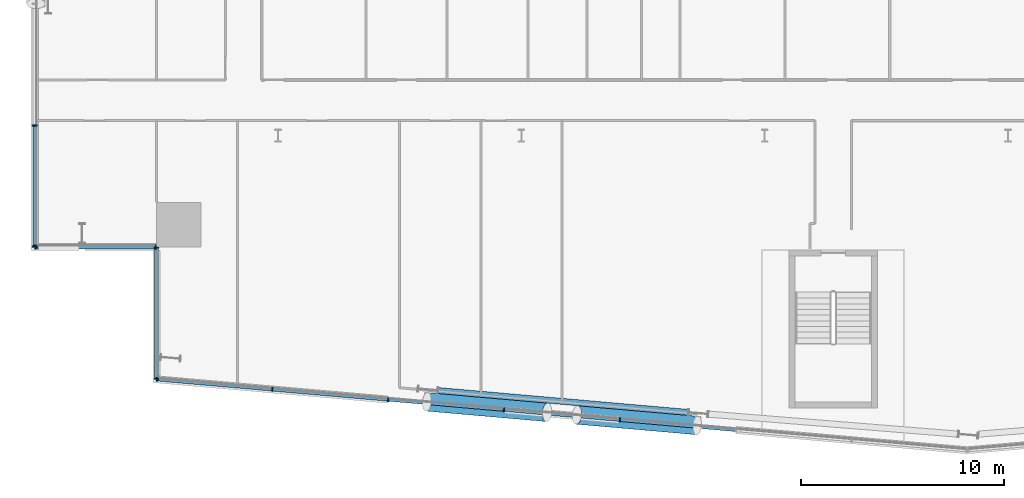
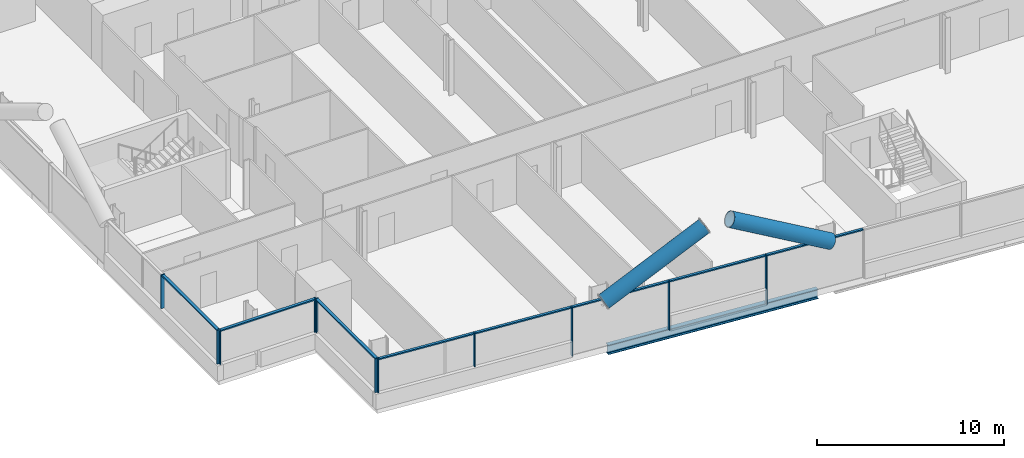
# One storey, part 4 of 27: 21 members, 1 beam, 4 elements without a shape of their own.
"""IFC4 building model written with IfcOpenShell, lengths in metres."""

import ifcopenshell
import ifcopenshell.guid

model = None  # the IFC model being written
_history = None  # IfcOwnerHistory: only IFC2X3 demands one
_inside = {}  # id of a spatial element -> (the spatial element, [elements in it])
_under = {}  # id of a project, library or spatial element -> (it, [spatial elements below it])
_declared = {}  # id of a project -> (the project, [libraries it declares])
_typed = {}  # id of a type object -> (the type object, [elements of that type])
_made_of = {}  # id of a material, layer set ... -> (it, [elements and type objects made of it])


def new_model(schema):
    """Start an empty IFC model of exactly this schema.

    Asked for "IFC4X3", IfcOpenShell would pick the latest addendum, in which some entities
    have other attributes; the version numbers below select the first issue.
    IFC2X3 requires an IfcOwnerHistory on every rooted entity: one is made here for all.
    """
    global model, _history
    if schema == "IFC4X3":
        model = ifcopenshell.file(schema_version=(4, 3, 0, 0))
    else:
        model = ifcopenshell.file(schema=schema)
    _inside.clear()
    _under.clear()
    _declared.clear()
    _typed.clear()
    _made_of.clear()
    _history = None
    if model.schema == "IFC2X3":
        org = make("IfcOrganization", Name="unknown")
        user = make(
            "IfcPersonAndOrganization",
            ThePerson=make("IfcPerson", FamilyName="unknown"),
            TheOrganization=org,
        )
        app = make(
            "IfcApplication",
            ApplicationDeveloper=org,
            Version="unknown",
            ApplicationFullName="unknown",
            ApplicationIdentifier="unknown",
        )
        _history = make(
            "IfcOwnerHistory",
            OwningUser=user,
            OwningApplication=app,
            ChangeAction="ADDED",
            CreationDate=0,
        )
    return model


def make(cls, **values):
    """One entity of the class cls with the attributes given. An attribute that is None is left unset."""
    return model.create_entity(
        cls, **{name: value for name, value in values.items() if value is not None}
    )


def rooted(cls, **values):
    """An entity with a GlobalId (a new one), such as an element, a storey or a relation."""
    return make(cls, GlobalId=ifcopenshell.guid.new(), OwnerHistory=_history, **values)


def si_unit(unit_type, name, prefix=None):
    """IfcSIUnit, for example si_unit("LENGTHUNIT", "METRE", prefix="MILLI")."""
    return make("IfcSIUnit", UnitType=unit_type, Prefix=prefix, Name=name)


def assignment(units):
    """IfcUnitAssignment: the units of a project."""
    return None if units is None else make("IfcUnitAssignment", Units=units)


def point(xyz):
    """IfcCartesianPoint."""
    return None if xyz is None else make("IfcCartesianPoint", Coordinates=xyz)


def direction(xyz):
    """IfcDirection."""
    return None if xyz is None else make("IfcDirection", DirectionRatios=xyz)


def frame(location, z_axis=None, x_axis=None):
    """IfcAxis2Placement3D, a coordinate frame: its origin and axes. An axis left out is left unset."""
    return make(
        "IfcAxis2Placement3D",
        Location=point(location),
        Axis=direction(z_axis),
        RefDirection=direction(x_axis),
    )


def frame_2d(location, x_axis=None):
    """IfcAxis2Placement2D, a coordinate frame in the plane: its origin and x axis."""
    return make(
        "IfcAxis2Placement2D", Location=point(location), RefDirection=direction(x_axis)
    )


def origin():
    """The frame at (0, 0, 0) with its axes left unset."""
    return frame((0.0, 0.0, 0.0))


def origin_2d():
    """The frame at (0, 0) in the plane with its x axis left unset."""
    return frame_2d((0.0, 0.0))


def place(relative_to, where):
    """IfcLocalPlacement: puts the frame where relative to a parent placement (None: the world)."""
    return make(
        "IfcLocalPlacement", PlacementRelTo=relative_to, RelativePlacement=where
    )


def context(
    kind, dimensions, precision=None, world=None, true_north=None, identifier=None
):
    """IfcGeometricRepresentationContext, for example the 3D "Model" context."""
    return make(
        "IfcGeometricRepresentationContext",
        ContextIdentifier=identifier,
        ContextType=kind,
        CoordinateSpaceDimension=dimensions,
        Precision=precision,
        WorldCoordinateSystem=world,
        TrueNorth=true_north,
    )


def subcontext(parent, identifier, kind, view, scale=None):
    """IfcGeometricRepresentationSubContext, for example "Body" below "Model"."""
    return make(
        "IfcGeometricRepresentationSubContext",
        ContextIdentifier=identifier,
        ContextType=kind,
        ParentContext=parent,
        TargetScale=scale,
        TargetView=view,
    )


def project(units=None, contexts=None):
    """IfcProject with its units and contexts."""
    return rooted(
        "IfcProject",
        Name="project",
        RepresentationContexts=contexts,
        UnitsInContext=assignment(units),
    )


def spatial(cls, under=None, at=None, **own):
    """A site, building, storey or space (cls), placed at a placement, below another one or the project."""
    s = rooted(cls, ObjectPlacement=at, **own)
    if under is not None:
        _under.setdefault(under.id(), (under, []))[1].append(s)
    return s


def profile(cls, at=None, kind="AREA", **sizes):
    """A parametric profile (cls). Its sizes go by their IFC names, for example OverallWidth=200.0."""
    return make(cls, ProfileType=kind, Position=at, **sizes)


def rectangle(**sizes):
    """IfcRectangleProfileDef."""
    return profile("IfcRectangleProfileDef", **sizes)


def hollow_circle(**sizes):
    """IfcCircleHollowProfileDef."""
    return profile("IfcCircleHollowProfileDef", **sizes)


def i_section(**sizes):
    """IfcIShapeProfileDef."""
    return profile("IfcIShapeProfileDef", **sizes)


def extrude(swept, where, along, depth):
    """IfcExtrudedAreaSolid: the profile swept, set in the frame where, extruded along a direction by depth."""
    return make(
        "IfcExtrudedAreaSolid",
        SweptArea=swept,
        Position=where,
        ExtrudedDirection=direction(along),
        Depth=depth,
    )


def shape(context_of_items, identifier, shape_type, items):
    """IfcShapeRepresentation: the items that make up one representation, for example the "Body"."""
    return make(
        "IfcShapeRepresentation",
        ContextOfItems=context_of_items,
        RepresentationIdentifier=identifier,
        RepresentationType=shape_type,
        Items=items,
    )


def material(Name=None, Category=None):
    """IfcMaterial."""
    return make("IfcMaterial", Name=Name, Category=Category)


def material_profile(
    of_material, cross_section, Name=None, Category=None, Priority=None
):
    """IfcMaterialProfile: a cross section and its material."""
    return make(
        "IfcMaterialProfile",
        Name=Name,
        Material=of_material,
        Profile=cross_section,
        Priority=Priority,
        Category=Category,
    )


def profile_set(profiles, Name=None, composite=None):
    """IfcMaterialProfileSet."""
    return make(
        "IfcMaterialProfileSet",
        Name=Name,
        MaterialProfiles=profiles,
        CompositeProfile=composite,
    )


def made_of(thing, what):
    """Note that an element or type object is made of a material, layer set ...; save() writes the relation."""
    if what is not None:
        _made_of.setdefault(what.id(), (what, []))[1].append(thing)
    return thing


def type_object(cls, material=None, **own):
    """A type object (cls), such as IfcWallType, which elements share."""
    return made_of(rooted(cls, **own), material)


def element(
    cls,
    number,
    at=None,
    inside=None,
    cuts=None,
    type_object=None,
    material=None,
    context=None,
    identifier="Body",
    shape_type=None,
    held_by="IfcProductDefinitionShape",
    body=None,
    shapes=None,
    **own,
):
    """One element of the class cls, such as IfcWall. Its Tag is "e" and its number.

    at: its placement. inside: the storey or other place that contains it. cuts: it is an
    opening in that element (IfcRelVoidsElement). A single representation is given by context,
    identifier, shape_type and body (its items); several are given by shapes. held_by: the class
    of the entity that holds the representations. save() writes the other relations.
    """
    e = rooted(cls, Tag="e%d" % number, ObjectPlacement=at, **own)
    if body is not None:
        shapes = [shape(context, identifier, shape_type, body)]
    if shapes is not None:
        e.Representation = make(held_by, Representations=shapes)
    if inside is not None:
        _inside.setdefault(inside.id(), (inside, []))[1].append(e)
    if cuts is not None:
        rooted(
            "IfcRelVoidsElement", RelatingBuildingElement=cuts, RelatedOpeningElement=e
        )
    if type_object is not None:
        _typed.setdefault(type_object.id(), (type_object, []))[1].append(e)
    return made_of(e, material)


def aggregate(whole, parts):
    """IfcRelAggregates: a whole, such as a stair, and the parts it consists of."""
    return rooted("IfcRelAggregates", RelatingObject=whole, RelatedObjects=parts)


def save(model, path):
    """Write the relations noted so far, then the file.

    IfcRelAggregates (storeys below a building ...), IfcRelContainedInSpatialStructure (elements
    in a storey), IfcRelDefinesByType, IfcRelAssociatesMaterial and IfcRelDeclares: one each for
    every whole, place, type object, material and project.
    """
    for whole, parts in _under.values():
        aggregate(whole, parts)
    for where, things in _inside.values():
        rooted(
            "IfcRelContainedInSpatialStructure",
            RelatedElements=things,
            RelatingStructure=where,
        )
    for kind, things in _typed.values():
        rooted("IfcRelDefinesByType", RelatedObjects=things, RelatingType=kind)
    for what, things in _made_of.values():
        rooted("IfcRelAssociatesMaterial", RelatedObjects=things, RelatingMaterial=what)
    for by, libraries in _declared.values():
        rooted("IfcRelDeclares", RelatingContext=by, RelatedDefinitions=libraries)
    model.write(path)


model = new_model("IFC4")

# Units and contexts
model_context = context("Model", 3, precision=1e-05, world=origin(), true_north=direction((0.0, 1.0)))
body_context = subcontext(model_context, "Body", "Model", "MODEL_VIEW")
ifc_project = project(units=[si_unit("LENGTHUNIT", "METRE"), si_unit("AREAUNIT", "SQUARE_METRE"), si_unit("VOLUMEUNIT", "CUBIC_METRE"), si_unit("PLANEANGLEUNIT", "RADIAN"), si_unit("MASSUNIT", "GRAM", prefix="KILO")], contexts=[model_context])

# Site, building, storey
site_placement = place(None, origin())
site = spatial("IfcSite", under=ifc_project, at=site_placement, CompositionType="ELEMENT")
building_placement = place(site_placement, origin())
building = spatial("IfcBuilding", under=site, at=building_placement, Name="Wharfspan Tower", CompositionType="ELEMENT")
storey_placement = place(building_placement, frame((0.0, 0.0, 45.100098)))
storey = spatial("IfcBuildingStorey", under=building, at=storey_placement, Name="L07", CompositionType="ELEMENT", Elevation=45.100098)

# Beam
ifc_material_1 = material(Name="Steel S355J2", Category="steel")
ifc_material_profile_1 = material_profile(ifc_material_1, i_section(OverallWidth=0.300049, OverallDepth=0.600098, WebThickness=0.015381, FlangeThickness=0.030029, FilletRadius=0.0271, at=origin_2d()))
ifc_profile_set_1 = profile_set([ifc_material_profile_1], Name="Steel S355J2")
beam_type = type_object("IfcBeamType", Name="Edge beam HEB 600", PredefinedType="SPANDREL", material=ifc_profile_set_1)
beam_placement = place(storey_placement, frame((19.888916, -1.077637, -0.700195), z_axis=(0.996195, -0.087154, 0.0), x_axis=(0.087154, 0.996195, 0.0)))
element("IfcBeam", 1, at=beam_placement, inside=storey, type_object=beam_type, Name="Edge beam S1 L07 PS1.2 to PS1.3", PredefinedType="SPANDREL", context=body_context, shape_type="SweptSolid", body=[
    extrude(i_section(OverallWidth=0.300049, OverallDepth=0.600098, WebThickness=0.015381, FlangeThickness=0.030029, FilletRadius=0.0271, at=origin_2d()), origin(), (0.0, 0.0, 1.0), 12.384277),
])

# Curtain wall, members
ifc_material_2 = material(Name="Aluminium 6063-T6", Category="aluminium")
curtain_wall_type_1 = type_object("IfcCurtainWallType", Name="CURTAIN WALL FACETED FRONT", PredefinedType="NOTDEFINED", material=ifc_material_2)
curtain_wall_1_placement = place(storey_placement, origin())
curtain_wall_1 = element("IfcCurtainWall", 2, at=curtain_wall_1_placement, inside=storey, type_object=curtain_wall_type_1, Name="Curtain wall S1", PredefinedType="NOTDEFINED")
ifc_material_profile_2 = material_profile(ifc_material_2, rectangle(XDim=0.199951, YDim=0.060059, at=origin_2d()))
ifc_profile_set_2 = profile_set([ifc_material_profile_2], Name="Aluminium 6063-T6")
member_type_1 = type_object("IfcMemberType", Name="MULLION FACETED FRONT 60x200", PredefinedType="MULLION", material=ifc_profile_set_2)
member_1_placement = place(storey_placement, frame((6.029785, -0.527588, 1.0), z_axis=(0.0, 0.0, 1.0), x_axis=(0.087156, 0.996197, 0.0)))
member_1 = element("IfcMember", 3, at=member_1_placement, type_object=member_type_1, Name="Curtain wall S1 mullion 1", PredefinedType="MULLION", context=body_context, shape_type="SweptSolid", body=[
    extrude(rectangle(XDim=0.199951, YDim=0.060059, at=origin_2d()), origin(), (0.0, 0.0, 1.0), 2.199951),
])
member_2_placement = place(storey_placement, frame((11.714355, -1.024902, 1.0), z_axis=(0.0, 0.0, 1.0), x_axis=(0.087156, 0.996197, 0.0)))
member_2 = element("IfcMember", 4, at=member_2_placement, type_object=member_type_1, Name="Curtain wall S1 mullion 2", PredefinedType="MULLION", context=body_context, shape_type="SweptSolid", body=[
    extrude(rectangle(XDim=0.199951, YDim=0.060059, at=origin_2d()), origin(), (0.0, 0.0, 1.0), 2.199951),
])
member_3_placement = place(storey_placement, frame((17.428467, -1.524902, 0.0), z_axis=(0.0, 0.0, 1.0), x_axis=(0.087156, 0.996197, 0.0)))
member_3 = element("IfcMember", 5, at=member_3_placement, type_object=member_type_1, Name="Curtain wall S1 mullion 3", PredefinedType="MULLION", context=body_context, shape_type="SweptSolid", body=[
    extrude(rectangle(XDim=0.199951, YDim=0.060059, at=origin_2d()), origin(), (0.0, 0.0, 1.0), 3.199951),
])
member_4_placement = place(storey_placement, frame((23.142822, -2.024658, 0.0), z_axis=(0.0, 0.0, 1.0), x_axis=(0.087156, 0.996197, 0.0)))
member_4 = element("IfcMember", 6, at=member_4_placement, type_object=member_type_1, Name="Curtain wall S1 mullion 4", PredefinedType="MULLION", context=body_context, shape_type="SweptSolid", body=[
    extrude(rectangle(XDim=0.199951, YDim=0.060059, at=origin_2d()), origin(), (0.0, 0.0, 1.0), 3.199951),
])
member_5_placement = place(storey_placement, frame((28.857178, -2.524658, 0.0), z_axis=(0.0, 0.0, 1.0), x_axis=(0.087156, 0.996197, 0.0)))
member_5 = element("IfcMember", 7, at=member_5_placement, type_object=member_type_1, Name="Curtain wall S1 mullion 5", PredefinedType="MULLION", context=body_context, shape_type="SweptSolid", body=[
    extrude(rectangle(XDim=0.199951, YDim=0.060059, at=origin_2d()), origin(), (0.0, 0.0, 1.0), 3.199951),
])

curtain_wall_type_2 = type_object("IfcCurtainWallType", Name="CURTAIN WALL PROW AND END", PredefinedType="NOTDEFINED", material=ifc_material_2)
curtain_wall_2_placement = place(storey_placement, origin())
curtain_wall_2 = element("IfcCurtainWall", 8, at=curtain_wall_2_placement, inside=storey, type_object=curtain_wall_type_2, Name="Curtain wall W", PredefinedType="NOTDEFINED")
ifc_material_profile_3 = material_profile(ifc_material_2, rectangle(XDim=0.23999, YDim=0.060059, at=origin_2d()))
ifc_profile_set_3 = profile_set([ifc_material_profile_3], Name="Aluminium 6063-T6")
member_type_2 = type_object("IfcMemberType", Name="MULLION PROW AND END 60x240", PredefinedType="MULLION", material=ifc_profile_set_3)
member_6_placement = place(storey_placement, frame((0.0, 12.0, 1.0), z_axis=(0.0, 0.0, 1.0), x_axis=(1.0, 0.0, 0.0)))
member_6 = element("IfcMember", 9, at=member_6_placement, type_object=member_type_2, Name="Curtain wall W mullion 6", PredefinedType="MULLION", context=body_context, shape_type="SweptSolid", body=[
    extrude(rectangle(XDim=0.23999, YDim=0.060059, at=origin_2d()), origin(), (0.0, 0.0, 1.0), 2.199951),
])
member_7_placement = place(storey_placement, frame((0.0, 6.030029, 1.0), z_axis=(0.0, 0.0, 1.0), x_axis=(1.0, 0.0, 0.0)))
member_7 = element("IfcMember", 10, at=member_7_placement, type_object=member_type_2, Name="Curtain wall W mullion 7", PredefinedType="MULLION", context=body_context, shape_type="SweptSolid", body=[
    extrude(rectangle(XDim=0.23999, YDim=0.060059, at=origin_2d()), origin(), (0.0, 0.0, 1.0), 2.199951),
])

curtain_wall_3_placement = place(storey_placement, origin())
curtain_wall_3 = element("IfcCurtainWall", 11, at=curtain_wall_3_placement, inside=storey, type_object=curtain_wall_type_2, Name="Curtain wall NFW-H", PredefinedType="NOTDEFINED")
member_8_placement = place(storey_placement, frame((0.030029, 6.0, 1.0), z_axis=(0.0, 0.0, 1.0), x_axis=(0.0, 1.0, 0.0)))
member_8 = element("IfcMember", 12, at=member_8_placement, type_object=member_type_2, Name="Curtain wall NFW-H mullion 1", PredefinedType="MULLION", context=body_context, shape_type="SweptSolid", body=[
    extrude(rectangle(XDim=0.23999, YDim=0.060059, at=origin_2d()), origin(), (0.0, 0.0, 1.0), 2.199951),
])
member_9_placement = place(storey_placement, frame((5.969971, 6.0, 1.0), z_axis=(0.0, 0.0, 1.0), x_axis=(0.0, 1.0, 0.0)))
member_9 = element("IfcMember", 13, at=member_9_placement, type_object=member_type_2, Name="Curtain wall NFW-H mullion 2", PredefinedType="MULLION", context=body_context, shape_type="SweptSolid", body=[
    extrude(rectangle(XDim=0.23999, YDim=0.060059, at=origin_2d()), origin(), (0.0, 0.0, 1.0), 2.199951),
])

curtain_wall_4_placement = place(storey_placement, origin())
curtain_wall_4 = element("IfcCurtainWall", 14, at=curtain_wall_4_placement, inside=storey, type_object=curtain_wall_type_2, Name="Curtain wall NFW-V", PredefinedType="NOTDEFINED")
member_10_placement = place(storey_placement, frame((6.0, 5.969971, 1.0), z_axis=(0.0, 0.0, 1.0), x_axis=(1.0, 0.0, 0.0)))
member_10 = element("IfcMember", 15, at=member_10_placement, type_object=member_type_2, Name="Curtain wall NFW-V mullion 1", PredefinedType="MULLION", context=body_context, shape_type="SweptSolid", body=[
    extrude(rectangle(XDim=0.23999, YDim=0.060059, at=origin_2d()), origin(), (0.0, 0.0, 1.0), 2.199951),
])
member_11_placement = place(storey_placement, frame((6.0, -0.494873, 1.0), z_axis=(0.0, 0.0, 1.0), x_axis=(1.0, 0.0, 0.0)))
member_11 = element("IfcMember", 16, at=member_11_placement, type_object=member_type_2, Name="Curtain wall NFW-V mullion 2", PredefinedType="MULLION", context=body_context, shape_type="SweptSolid", body=[
    extrude(rectangle(XDim=0.23999, YDim=0.060059, at=origin_2d()), origin(), (0.0, 0.0, 1.0), 2.199951),
])

# Members
ifc_material_3 = material(Name="Steel S460NH", Category="steel")
ifc_material_profile_4 = material_profile(ifc_material_3, hollow_circle(Radius=0.457031, WallThickness=0.040039, at=origin_2d()))
ifc_profile_set_4 = profile_set([ifc_material_profile_4], Name="Steel S460NH")
member_type_3 = type_object("IfcMemberType", Name="Mega brace CHS 914x40", PredefinedType="BRACE", material=ifc_profile_set_4)
for number, where, z_axis, x_axis, name in (
    (17, (19.338135, -1.636719, 2.899902), (0.877314, -0.076746, 0.47374), (0.087144, 0.996196, 3e-06), "Mega brace S1 L08 part 1"),
    (18, (32.671387, -2.803223, 2.899902), (-0.877314, 0.076746, 0.47374), (-0.087144, -0.996196, 3e-06), "Mega brace S1 L08 part 3"),
):
    element("IfcMember", number, at=place(storey_placement, frame(where, z_axis=z_axis, x_axis=x_axis)), inside=storey, type_object=member_type_3, Name=name, PredefinedType="BRACE", context=body_context, shape_type="SweptSolid", body=[
        extrude(hollow_circle(Radius=0.457031, WallThickness=0.040039, at=origin_2d()), origin(), (0.0, 0.0, 1.0), 6.753662),
    ])

# Member
ifc_material_profile_5 = material_profile(ifc_material_2, rectangle(XDim=0.159912, YDim=0.080078, at=origin_2d()))
ifc_profile_set_5 = profile_set([ifc_material_profile_5], Name="Aluminium 6063-T6")
member_type_4 = type_object("IfcMemberType", Name="TRANSOM FACETED FRONT 80x160", PredefinedType="USERDEFINED", material=ifc_profile_set_5)
member_12_placement = place(storey_placement, frame((6.059814, -0.530273, 3.159912), z_axis=(0.996197, -0.087132, 0.0), x_axis=(0.087132, 0.996197, 0.0)))
member_12 = element("IfcMember", 19, at=member_12_placement, type_object=member_type_4, Name="Curtain wall S1 transom 1", ObjectType="TRANSOM", PredefinedType="USERDEFINED", context=body_context, shape_type="SweptSolid", body=[
    extrude(rectangle(XDim=0.159912, YDim=0.080078, at=origin_2d()), origin(), (0.0, 0.0, 1.0), 5.645996),
])

member_13_placement = place(storey_placement, frame((11.744141, -1.027588, 3.159912), z_axis=(0.996196, -0.087142, 0.0), x_axis=(0.087142, 0.996196, 0.0)))
member_13 = element("IfcMember", 20, at=member_13_placement, type_object=member_type_4, Name="Curtain wall S1 transom 2", ObjectType="TRANSOM", PredefinedType="USERDEFINED", context=body_context, shape_type="SweptSolid", body=[
    extrude(rectangle(XDim=0.159912, YDim=0.080078, at=origin_2d()), origin(), (0.0, 0.0, 1.0), 5.676025),
])

member_14_placement = place(storey_placement, frame((17.458496, -1.527344, 3.159912), z_axis=(0.996192, -0.087185, 0.0), x_axis=(0.087185, 0.996192, 0.0)))
member_14 = element("IfcMember", 21, at=member_14_placement, type_object=member_type_4, Name="Curtain wall S1 transom 3", ObjectType="TRANSOM", PredefinedType="USERDEFINED", context=body_context, shape_type="SweptSolid", body=[
    extrude(rectangle(XDim=0.159912, YDim=0.080078, at=origin_2d()), origin(), (0.0, 0.0, 1.0), 5.67627),
])

member_15_placement = place(storey_placement, frame((23.172852, -2.027344, 3.159912), z_axis=(0.996196, -0.087146, 0.0), x_axis=(0.087146, 0.996196, 0.0)))
member_15 = element("IfcMember", 22, at=member_15_placement, type_object=member_type_4, Name="Curtain wall S1 transom 4", ObjectType="TRANSOM", PredefinedType="USERDEFINED", context=body_context, shape_type="SweptSolid", body=[
    extrude(rectangle(XDim=0.159912, YDim=0.080078, at=origin_2d()), origin(), (0.0, 0.0, 1.0), 5.675781),
])

member_16_placement = place(storey_placement, frame((28.886963, -2.527344, 3.159912), z_axis=(0.996196, -0.087142, 0.0), x_axis=(0.087142, 0.996196, 0.0)))
member_16 = element("IfcMember", 23, at=member_16_placement, type_object=member_type_4, Name="Curtain wall S1 transom 5", ObjectType="TRANSOM", PredefinedType="USERDEFINED", context=body_context, shape_type="SweptSolid", body=[
    extrude(rectangle(XDim=0.159912, YDim=0.080078, at=origin_2d()), origin(), (0.0, 0.0, 1.0), 5.676025),
])

aggregate(curtain_wall_1, [member_1, member_2, member_3, member_4, member_5, member_12, member_13, member_14, member_15, member_16])

ifc_material_profile_6 = material_profile(ifc_material_2, rectangle(XDim=0.179932, YDim=0.080078, at=origin_2d()))
ifc_profile_set_6 = profile_set([ifc_material_profile_6], Name="Aluminium 6063-T6")
member_type_5 = type_object("IfcMemberType", Name="TRANSOM PROW AND END 80x180", PredefinedType="USERDEFINED", material=ifc_profile_set_6)
member_17_placement = place(storey_placement, frame((0.0, 11.969971, 3.159912), z_axis=(0.0, -1.0, 0.0), x_axis=(1.0, 0.0, 0.0)))
member_17 = element("IfcMember", 24, at=member_17_placement, type_object=member_type_5, Name="Curtain wall W transom 6", ObjectType="TRANSOM", PredefinedType="USERDEFINED", context=body_context, shape_type="SweptSolid", body=[
    extrude(rectangle(XDim=0.179932, YDim=0.080078, at=origin_2d()), origin(), (0.0, 0.0, 1.0), 5.909912),
])

aggregate(curtain_wall_2, [member_6, member_7, member_17])

member_18_placement = place(storey_placement, frame((0.060059, 6.0, 3.159912), z_axis=(1.0, 0.0, 0.0), x_axis=(0.0, 1.0, 0.0)))
member_18 = element("IfcMember", 25, at=member_18_placement, type_object=member_type_5, Name="Curtain wall NFW-H transom 1", ObjectType="TRANSOM", PredefinedType="USERDEFINED", context=body_context, shape_type="SweptSolid", body=[
    extrude(rectangle(XDim=0.179932, YDim=0.080078, at=origin_2d()), origin(), (0.0, 0.0, 1.0), 5.879883),
])

aggregate(curtain_wall_3, [member_8, member_9, member_18])

member_19_placement = place(storey_placement, frame((6.0, 5.939941, 3.159912), z_axis=(0.0, -1.0, 0.0), x_axis=(1.0, 0.0, 0.0)))
member_19 = element("IfcMember", 26, at=member_19_placement, type_object=member_type_5, Name="Curtain wall NFW-V transom 1", ObjectType="TRANSOM", PredefinedType="USERDEFINED", context=body_context, shape_type="SweptSolid", body=[
    extrude(rectangle(XDim=0.179932, YDim=0.080078, at=origin_2d()), origin(), (0.0, 0.0, 1.0), 6.404785),
])

aggregate(curtain_wall_4, [member_10, member_11, member_19])

save(model, "model.ifc")
